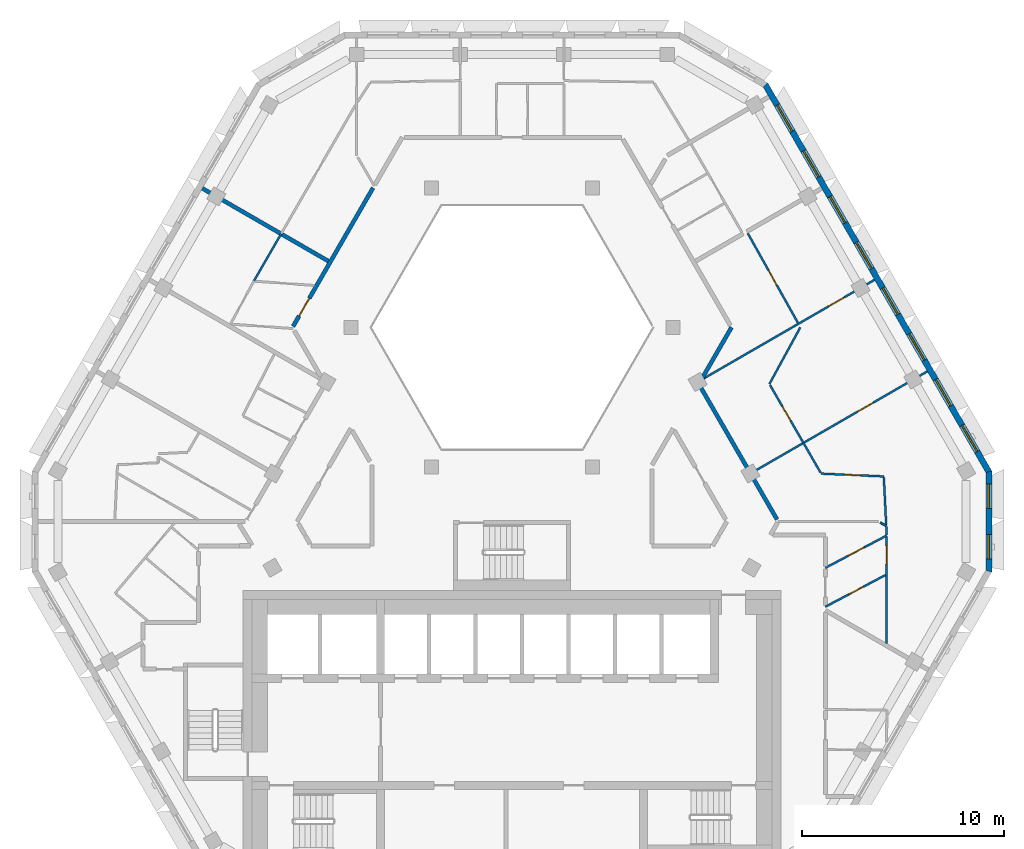
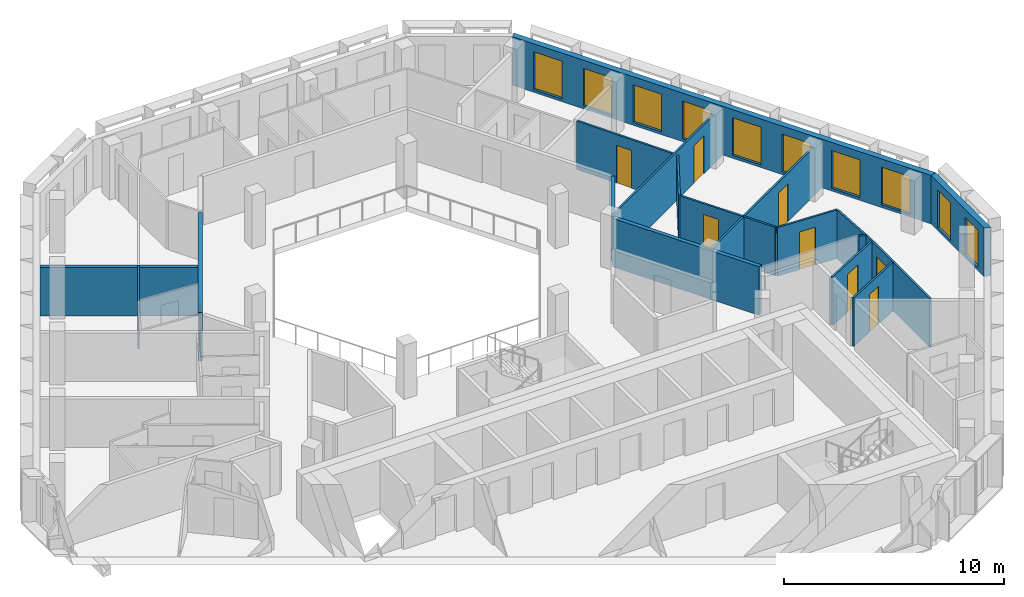
# One storey, part 7 of 16: 20 walls, 10 windows, 9 doors, 19 openings.
"""IFC4 building model written with IfcOpenShell, lengths in metres."""

from ifc_helpers import new_model, si_unit, direction, frame, frame_2d, origin, place, context, subcontext, project, spatial, polyline, rectangle, outline, extrude, material, layer, layer_set, type_object, element, fill, save


model = new_model("IFC4")

# Units and contexts
model_context = context("Model", 3, precision=1e-05, world=origin(), true_north=direction((0.0, 1.0)))
body_context = subcontext(model_context, "Body", "Model", "MODEL_VIEW")
ifc_project = project(units=[si_unit("LENGTHUNIT", "METRE"), si_unit("AREAUNIT", "SQUARE_METRE"), si_unit("VOLUMEUNIT", "CUBIC_METRE"), si_unit("PLANEANGLEUNIT", "RADIAN"), si_unit("MASSUNIT", "GRAM", prefix="KILO")], contexts=[model_context])

# Site, building, storey
site_placement = place(None, origin())
site = spatial("IfcSite", under=ifc_project, at=site_placement, CompositionType="ELEMENT")
building_placement = place(site_placement, origin())
building = spatial("IfcBuilding", under=site, at=building_placement, Name="Beryl Residences", CompositionType="ELEMENT")
storey_placement = place(building_placement, frame((0.0, 0.0, 208.800048828125)))
storey = spatial("IfcBuildingStorey", under=building, at=storey_placement, Name="L64", CompositionType="ELEMENT", Elevation=208.800048828125)

# Wall, openings, windows
ifc_material_1 = material(Name="Composite metal panel with mineral wool insulation")
ifc_layer_1 = layer(ifc_material_1, 0.300048828125)
ifc_layer_set_1 = layer_set([ifc_layer_1], Name="ES1 pale metal composite panel wall 300 mm")
wall_type_1 = type_object("IfcWallType", Name="ES1 pale metal composite panel wall 300 mm", PredefinedType="SOLIDWALL", material=ifc_layer_set_1)
wall_1_placement = place(storey_placement, frame((23.5791015625, -4.10009765625, 0.0), z_axis=(0.0, 0.0, 1.0), x_axis=(0.0, 1.0, 0.0)))
wall_1 = element("IfcWall", 1, at=wall_1_placement, inside=storey, type_object=wall_type_1, Name="ES1 external wall L64 SE-NE", PredefinedType="SOLIDWALL", context=body_context, shape_type="SweptSolid", body=[
    extrude(outline(polyline([(0.0, -0.14990234375), (5.0, -0.14990234375), (4.919677734375, 0.14990234375), (0.080322265625, 0.14990234375), (0.0, -0.14990234375)])), origin(), (0.0, 0.0, 1.0), 2.699951171875),
])
opening_1_placement = place(wall_1_placement, frame((0.64990234375, 0.0, 0.14990234375)))
opening_1 = element("IfcOpeningElement", 2, at=opening_1_placement, cuts=wall_1, Name="Opening W2", PredefinedType="OPENING", context=body_context, shape_type="SweptSolid", body=[
    extrude(rectangle(XDim=1.199951171875, YDim=2.10009765625, at=frame_2d((0.60009765625, 1.050048828125))), frame((0.0, 0.159912109375, 0.0), z_axis=(0.0, -1.0, 0.0), x_axis=(1.0, 0.0, 0.0)), (0.0, 0.0, 1.0), 0.320068359375),
])
opening_2_placement = place(wall_1_placement, frame((3.14990234375, 0.0, 0.14990234375)))
opening_2 = element("IfcOpeningElement", 3, at=opening_2_placement, cuts=wall_1, Name="Opening W2", PredefinedType="OPENING", context=body_context, shape_type="SweptSolid", body=[
    extrude(rectangle(XDim=1.199951171875, YDim=2.10009765625, at=frame_2d((0.60009765625, 1.050048828125))), frame((0.0, 0.159912109375, 0.0), z_axis=(0.0, -1.0, 0.0), x_axis=(1.0, 0.0, 0.0)), (0.0, 0.0, 1.0), 0.320068359375),
])
ifc_material_2 = material(Name="Aluminium and clear glass", Category="aluminium")
window_type_1 = type_object("IfcWindowType", Name="W2 chamfer window 1200 x 2100 mm", PartitioningType="SINGLE_PANEL", PredefinedType="WINDOW", material=ifc_material_2)
window_1_placement = place(opening_1_placement, origin())
window_1 = element("IfcWindow", 4, at=window_1_placement, inside=storey, type_object=window_type_1, Name="W2 window L64 SE-NE 1", OverallHeight=2.10009765625, OverallWidth=1.199951171875, PartitioningType="SINGLE_PANEL", PredefinedType="WINDOW", context=body_context, shape_type="SweptSolid", body=[
    extrude(rectangle(XDim=1.199951171875, YDim=2.10009765625, at=frame_2d((0.60009765625, 1.050048828125))), frame((0.0, 0.030029296875, 0.0), z_axis=(0.0, -1.0, 0.0), x_axis=(1.0, 0.0, 0.0)), (0.0, 0.0, 1.0), 0.06005859375),
])
fill(opening_1, window_1)
window_2_placement = place(opening_2_placement, origin())
window_2 = element("IfcWindow", 5, at=window_2_placement, inside=storey, type_object=window_type_1, Name="W2 window L64 SE-NE 2", OverallHeight=2.10009765625, OverallWidth=1.199951171875, PartitioningType="SINGLE_PANEL", PredefinedType="WINDOW", context=body_context, shape_type="SweptSolid", body=[
    extrude(rectangle(XDim=1.199951171875, YDim=2.10009765625, at=frame_2d((0.60009765625, 1.050048828125))), frame((0.0, 0.030029296875, 0.0), z_axis=(0.0, -1.0, 0.0), x_axis=(1.0, 0.0, 0.0)), (0.0, 0.0, 1.0), 0.06005859375),
])
fill(opening_2, window_2)

wall_2_placement = place(storey_placement, frame((23.59912109375, 0.824951171875, 0.0), z_axis=(0.0, 0.0, 1.0), x_axis=(-0.500003656944, 0.866023292436, 0.0)))
wall_2 = element("IfcWall", 6, at=wall_2_placement, inside=storey, type_object=wall_type_1, Name="ES1 external wall L64 NE", PredefinedType="SOLIDWALL", context=body_context, shape_type="SweptSolid", body=[
    extrude(outline(polyline([(0.0, -0.14990234375), (22.170166015625, -0.14990234375), (22.08984375, 0.14990234375), (0.080322265625, 0.14990234375), (0.0, -0.14990234375)])), origin(), (0.0, 0.0, 1.0), 2.699951171875),
])
opening_3_placement = place(wall_2_placement, frame((1.19091796875, 0.0, 0.14990234375)))
opening_3 = element("IfcOpeningElement", 7, at=opening_3_placement, cuts=wall_2, Name="Opening W1", PredefinedType="OPENING", context=body_context, shape_type="SweptSolid", body=[
    extrude(rectangle(XDim=1.5, YDim=2.10009765625, at=frame_2d((0.75, 1.050048828125))), frame((0.0, 0.159912109375, 0.0), z_axis=(0.0, -1.0, 0.0), x_axis=(1.0, 0.0, 0.0)), (0.0, 0.0, 1.0), 0.320068359375),
])
opening_4_placement = place(wall_2_placement, frame((3.803955078125, 0.0, 0.14990234375)))
opening_4 = element("IfcOpeningElement", 8, at=opening_4_placement, cuts=wall_2, Name="Opening W1", PredefinedType="OPENING", context=body_context, shape_type="SweptSolid", body=[
    extrude(rectangle(XDim=1.5, YDim=2.10009765625, at=frame_2d((0.75, 1.050048828125))), frame((0.0, 0.159912109375, 0.0), z_axis=(0.0, -1.0, 0.0), x_axis=(1.0, 0.0, 0.0)), (0.0, 0.0, 1.0), 0.320068359375),
])
opening_5_placement = place(wall_2_placement, frame((6.4169921875, 0.0, 0.14990234375)))
opening_5 = element("IfcOpeningElement", 9, at=opening_5_placement, cuts=wall_2, Name="Opening W1", PredefinedType="OPENING", context=body_context, shape_type="SweptSolid", body=[
    extrude(rectangle(XDim=1.5, YDim=2.10009765625, at=frame_2d((0.75, 1.050048828125))), frame((0.0, 0.159912109375, 0.0), z_axis=(0.0, -1.0, 0.0), x_axis=(1.0, 0.0, 0.0)), (0.0, 0.0, 1.0), 0.320068359375),
])
opening_6_placement = place(wall_2_placement, frame((9.029052734375, 0.0, 0.14990234375)))
opening_6 = element("IfcOpeningElement", 10, at=opening_6_placement, cuts=wall_2, Name="Opening W1", PredefinedType="OPENING", context=body_context, shape_type="SweptSolid", body=[
    extrude(rectangle(XDim=1.5, YDim=2.10009765625, at=frame_2d((0.75, 1.050048828125))), frame((0.0, 0.159912109375, 0.0), z_axis=(0.0, -1.0, 0.0), x_axis=(1.0, 0.0, 0.0)), (0.0, 0.0, 1.0), 0.320068359375),
])
opening_7_placement = place(wall_2_placement, frame((11.64111328125, 0.0, 0.14990234375)))
opening_7 = element("IfcOpeningElement", 11, at=opening_7_placement, cuts=wall_2, Name="Opening W1", PredefinedType="OPENING", context=body_context, shape_type="SweptSolid", body=[
    extrude(rectangle(XDim=1.5, YDim=2.10009765625, at=frame_2d((0.75, 1.050048828125))), frame((0.0, 0.159912109375, 0.0), z_axis=(0.0, -1.0, 0.0), x_axis=(1.0, 0.0, 0.0)), (0.0, 0.0, 1.0), 0.320068359375),
])
opening_8_placement = place(wall_2_placement, frame((14.25390625, 0.0, 0.14990234375)))
opening_8 = element("IfcOpeningElement", 12, at=opening_8_placement, cuts=wall_2, Name="Opening W1", PredefinedType="OPENING", context=body_context, shape_type="SweptSolid", body=[
    extrude(rectangle(XDim=1.5, YDim=2.10009765625, at=frame_2d((0.75, 1.050048828125))), frame((0.0, 0.159912109375, 0.0), z_axis=(0.0, -1.0, 0.0), x_axis=(1.0, 0.0, 0.0)), (0.0, 0.0, 1.0), 0.320068359375),
])
opening_9_placement = place(wall_2_placement, frame((16.865966796875, 0.0, 0.14990234375)))
opening_9 = element("IfcOpeningElement", 13, at=opening_9_placement, cuts=wall_2, Name="Opening W1", PredefinedType="OPENING", context=body_context, shape_type="SweptSolid", body=[
    extrude(rectangle(XDim=1.5, YDim=2.10009765625, at=frame_2d((0.75, 1.050048828125))), frame((0.0, 0.159912109375, 0.0), z_axis=(0.0, -1.0, 0.0), x_axis=(1.0, 0.0, 0.0)), (0.0, 0.0, 1.0), 0.320068359375),
])
opening_10_placement = place(wall_2_placement, frame((19.47900390625, 0.0, 0.14990234375)))
opening_10 = element("IfcOpeningElement", 14, at=opening_10_placement, cuts=wall_2, Name="Opening W1", PredefinedType="OPENING", context=body_context, shape_type="SweptSolid", body=[
    extrude(rectangle(XDim=1.5, YDim=2.10009765625, at=frame_2d((0.75, 1.050048828125))), frame((0.0, 0.159912109375, 0.0), z_axis=(0.0, -1.0, 0.0), x_axis=(1.0, 0.0, 0.0)), (0.0, 0.0, 1.0), 0.320068359375),
])
ifc_material_3 = material(Name="Aluminium and clear glass", Category="aluminium")
window_type_2 = type_object("IfcWindowType", Name="W1 cell window 1500 x 2100 mm", PartitioningType="SINGLE_PANEL", PredefinedType="WINDOW", material=ifc_material_3)
window_3_placement = place(opening_3_placement, origin())
window_3 = element("IfcWindow", 15, at=window_3_placement, inside=storey, type_object=window_type_2, Name="W1 window L64 NE 1", OverallHeight=2.10009765625, OverallWidth=1.5, PartitioningType="SINGLE_PANEL", PredefinedType="WINDOW", context=body_context, shape_type="SweptSolid", body=[
    extrude(rectangle(XDim=1.5, YDim=2.10009765625, at=frame_2d((0.75, 1.050048828125))), frame((0.0, 0.030029296875, 0.0), z_axis=(0.0, -1.0, 0.0), x_axis=(1.0, 0.0, 0.0)), (0.0, 0.0, 1.0), 0.06005859375),
])
fill(opening_3, window_3)
window_4_placement = place(opening_4_placement, origin())
window_4 = element("IfcWindow", 16, at=window_4_placement, inside=storey, type_object=window_type_2, Name="W1 window L64 NE 2", OverallHeight=2.10009765625, OverallWidth=1.5, PartitioningType="SINGLE_PANEL", PredefinedType="WINDOW", context=body_context, shape_type="SweptSolid", body=[
    extrude(rectangle(XDim=1.5, YDim=2.10009765625, at=frame_2d((0.75, 1.050048828125))), frame((0.0, 0.030029296875, 0.0), z_axis=(0.0, -1.0, 0.0), x_axis=(1.0, 0.0, 0.0)), (0.0, 0.0, 1.0), 0.06005859375),
])
fill(opening_4, window_4)
window_5_placement = place(opening_5_placement, origin())
window_5 = element("IfcWindow", 17, at=window_5_placement, inside=storey, type_object=window_type_2, Name="W1 window L64 NE 3", OverallHeight=2.10009765625, OverallWidth=1.5, PartitioningType="SINGLE_PANEL", PredefinedType="WINDOW", context=body_context, shape_type="SweptSolid", body=[
    extrude(rectangle(XDim=1.5, YDim=2.10009765625, at=frame_2d((0.75, 1.050048828125))), frame((0.0, 0.030029296875, 0.0), z_axis=(0.0, -1.0, 0.0), x_axis=(1.0, 0.0, 0.0)), (0.0, 0.0, 1.0), 0.06005859375),
])
fill(opening_5, window_5)
window_6_placement = place(opening_6_placement, origin())
window_6 = element("IfcWindow", 18, at=window_6_placement, inside=storey, type_object=window_type_2, Name="W1 window L64 NE 4", OverallHeight=2.10009765625, OverallWidth=1.5, PartitioningType="SINGLE_PANEL", PredefinedType="WINDOW", context=body_context, shape_type="SweptSolid", body=[
    extrude(rectangle(XDim=1.5, YDim=2.10009765625, at=frame_2d((0.75, 1.050048828125))), frame((0.0, 0.030029296875, 0.0), z_axis=(0.0, -1.0, 0.0), x_axis=(1.0, 0.0, 0.0)), (0.0, 0.0, 1.0), 0.06005859375),
])
fill(opening_6, window_6)
window_7_placement = place(opening_7_placement, origin())
window_7 = element("IfcWindow", 19, at=window_7_placement, inside=storey, type_object=window_type_2, Name="W1 window L64 NE 5", OverallHeight=2.10009765625, OverallWidth=1.5, PartitioningType="SINGLE_PANEL", PredefinedType="WINDOW", context=body_context, shape_type="SweptSolid", body=[
    extrude(rectangle(XDim=1.5, YDim=2.10009765625, at=frame_2d((0.75, 1.050048828125))), frame((0.0, 0.030029296875, 0.0), z_axis=(0.0, -1.0, 0.0), x_axis=(1.0, 0.0, 0.0)), (0.0, 0.0, 1.0), 0.06005859375),
])
fill(opening_7, window_7)
window_8_placement = place(opening_8_placement, origin())
window_8 = element("IfcWindow", 20, at=window_8_placement, inside=storey, type_object=window_type_2, Name="W1 window L64 NE 6", OverallHeight=2.10009765625, OverallWidth=1.5, PartitioningType="SINGLE_PANEL", PredefinedType="WINDOW", context=body_context, shape_type="SweptSolid", body=[
    extrude(rectangle(XDim=1.5, YDim=2.10009765625, at=frame_2d((0.75, 1.050048828125))), frame((0.0, 0.030029296875, 0.0), z_axis=(0.0, -1.0, 0.0), x_axis=(1.0, 0.0, 0.0)), (0.0, 0.0, 1.0), 0.06005859375),
])
fill(opening_8, window_8)
window_9_placement = place(opening_9_placement, origin())
window_9 = element("IfcWindow", 21, at=window_9_placement, inside=storey, type_object=window_type_2, Name="W1 window L64 NE 7", OverallHeight=2.10009765625, OverallWidth=1.5, PartitioningType="SINGLE_PANEL", PredefinedType="WINDOW", context=body_context, shape_type="SweptSolid", body=[
    extrude(rectangle(XDim=1.5, YDim=2.10009765625, at=frame_2d((0.75, 1.050048828125))), frame((0.0, 0.030029296875, 0.0), z_axis=(0.0, -1.0, 0.0), x_axis=(1.0, 0.0, 0.0)), (0.0, 0.0, 1.0), 0.06005859375),
])
fill(opening_9, window_9)
window_10_placement = place(opening_10_placement, origin())
window_10 = element("IfcWindow", 22, at=window_10_placement, inside=storey, type_object=window_type_2, Name="W1 window L64 NE 8", OverallHeight=2.10009765625, OverallWidth=1.5, PartitioningType="SINGLE_PANEL", PredefinedType="WINDOW", context=body_context, shape_type="SweptSolid", body=[
    extrude(rectangle(XDim=1.5, YDim=2.10009765625, at=frame_2d((0.75, 1.050048828125))), frame((0.0, 0.030029296875, 0.0), z_axis=(0.0, -1.0, 0.0), x_axis=(1.0, 0.0, 0.0)), (0.0, 0.0, 1.0), 0.06005859375),
])
fill(opening_10, window_10)

# Wall, opening, door
ifc_material_4 = material(Name="Gypsum board partition on steel studs", Category="steel")
ifc_layer_2 = layer(ifc_material_4, 0.10009765625)
ifc_layer_set_2 = layer_set([ifc_layer_2], Name="PT1 partition 100 mm gypsum board on steel studs")
wall_type_2 = type_object("IfcWallType", Name="PT1 partition 100 mm gypsum board on steel studs", PredefinedType="PARTITIONING", material=ifc_layer_set_2)
wall_3_placement = place(storey_placement, frame((12.759033203125, 5.14990234375, 0.0), z_axis=(0.0, 0.0, 1.0), x_axis=(0.499905801698, -0.866079782369, 0.0)))
wall_3 = element("IfcWall", 23, at=wall_3_placement, inside=storey, type_object=wall_type_2, Name="Wall PT1 L64 004", PredefinedType="PARTITIONING", context=body_context, shape_type="SweptSolid", body=[
    extrude(rectangle(XDim=3.304443359375, YDim=0.10009765625, at=frame_2d((1.65234375, 0.0))), origin(), (0.0, 0.0, 1.0), 2.699951171875),
])
opening_11_placement = place(wall_3_placement, frame((1.222900390625, 0.0, 0.0)))
opening_11 = element("IfcOpeningElement", 24, at=opening_11_placement, cuts=wall_3, Name="Opening D1836", PredefinedType="OPENING", context=body_context, shape_type="SweptSolid", body=[
    extrude(rectangle(XDim=0.800048828125, YDim=2.10009765625, at=frame_2d((0.39990234375, 1.050048828125))), frame((0.0, 0.06005859375, 0.0), z_axis=(0.0, -1.0, 0.0), x_axis=(1.0, 0.0, 0.0)), (0.0, 0.0, 1.0), 0.1201171875),
])
ifc_material_5 = material(Name="Timber door leaf", Category="wood")
door_type_1 = type_object("IfcDoorType", Name="D3 bathroom door 800 x 2100 mm", OperationType="SINGLE_SWING_LEFT", PredefinedType="DOOR", material=ifc_material_5)
door_1_placement = place(opening_11_placement, origin())
door_1 = element("IfcDoor", 25, at=door_1_placement, inside=storey, type_object=door_type_1, Name="Door D1836 L64 001", OperationType="SINGLE_SWING_RIGHT", OverallHeight=2.10009765625, OverallWidth=0.800048828125, PredefinedType="DOOR", context=body_context, shape_type="SweptSolid", body=[
    extrude(rectangle(XDim=0.800048828125, YDim=2.10009765625, at=frame_2d((0.39990234375, 1.050048828125))), frame((0.0, 0.02490234375, 0.0), z_axis=(0.0, -1.0, 0.0), x_axis=(1.0, 0.0, 0.0)), (0.0, 0.0, 1.0), 0.050048828125),
])
fill(opening_11, door_1)

wall_4_placement = place(storey_placement, frame((11.659912109375, 12.64990234375, 0.0), z_axis=(0.0, 0.0, 1.0), x_axis=(0.488650242737, -0.872479764965, 0.0)))
wall_4 = element("IfcWall", 26, at=wall_4_placement, inside=storey, type_object=wall_type_2, Name="Wall PT1 L64 007", PredefinedType="PARTITIONING", context=body_context, shape_type="SweptSolid", body=[
    extrude(rectangle(XDim=5.0751953125, YDim=0.10009765625, at=frame_2d((2.53759765625, 0.0))), origin(), (0.0, 0.0, 1.0), 2.699951171875),
])
opening_12_placement = place(wall_4_placement, frame((2.113037109375, 0.0, 0.0)))
opening_12 = element("IfcOpeningElement", 27, at=opening_12_placement, cuts=wall_4, Name="Opening D1837", PredefinedType="OPENING", context=body_context, shape_type="SweptSolid", body=[
    extrude(rectangle(XDim=0.800048828125, YDim=2.10009765625, at=frame_2d((0.39990234375, 1.050048828125))), frame((0.0, 0.06005859375, 0.0), z_axis=(0.0, -1.0, 0.0), x_axis=(1.0, 0.0, 0.0)), (0.0, 0.0, 1.0), 0.1201171875),
])
door_2_placement = place(opening_12_placement, origin())
door_2 = element("IfcDoor", 28, at=door_2_placement, inside=storey, type_object=door_type_1, Name="Door D1837 L64 001", OperationType="SINGLE_SWING_LEFT", OverallHeight=2.10009765625, OverallWidth=0.800048828125, PredefinedType="DOOR", context=body_context, shape_type="SweptSolid", body=[
    extrude(rectangle(XDim=0.800048828125, YDim=2.10009765625, at=frame_2d((0.39990234375, 1.050048828125))), frame((0.0, 0.02490234375, 0.0), z_axis=(0.0, -1.0, 0.0), x_axis=(1.0, 0.0, 0.0)), (0.0, 0.0, 1.0), 0.050048828125),
])
fill(opening_12, door_2)

# Walls
wall_5_placement = place(storey_placement, frame((18.387939453125, 0.5791015625, 0.0), z_axis=(0.0, 0.0, 1.0), x_axis=(0.049097293833, -0.998794000652, 0.0)))
element("IfcWall", 29, at=wall_5_placement, inside=storey, type_object=wall_type_2, Name="Wall PT1 L64 008", PredefinedType="PARTITIONING", context=body_context, shape_type="SweptSolid", body=[
    extrude(rectangle(XDim=2.362060546875, YDim=0.10009765625, at=frame_2d((1.18115234375, 0.0))), origin(), (0.0, 0.0, 1.0), 2.699951171875),
])
wall_6_placement = place(storey_placement, frame((18.507080078125, -1.85400390625, 0.0), z_axis=(0.0, 0.0, 1.0), x_axis=(0.036480787329, -0.999334354536, 0.0)))
element("IfcWall", 30, at=wall_6_placement, inside=storey, type_object=wall_type_2, Name="Wall PT1 L64 009", PredefinedType="PARTITIONING", context=body_context, shape_type="SweptSolid", body=[
    extrude(rectangle(XDim=0.408203125, YDim=0.10009765625, at=frame_2d((0.2041015625, 0.0))), origin(), (0.0, 0.0, 1.0), 2.699951171875),
])

# Wall, opening, door
wall_7_placement = place(storey_placement, frame((15.2880859375, 0.76806640625, 0.0), z_axis=(0.0, 0.0, 1.0), x_axis=(0.999006028269, -0.044575278833, 0.0)))
wall_7 = element("IfcWall", 31, at=wall_7_placement, inside=storey, type_object=wall_type_2, Name="Wall PT1 L64 014", PredefinedType="PARTITIONING", context=body_context, shape_type="SweptSolid", body=[
    extrude(rectangle(XDim=3.10009765625, YDim=0.10009765625, at=frame_2d((1.550048828125, 0.0))), origin(), (0.0, 0.0, 1.0), 2.699951171875),
])
opening_13_placement = place(wall_7_placement, frame((1.14990234375, 0.0, 0.0)))
opening_13 = element("IfcOpeningElement", 32, at=opening_13_placement, cuts=wall_7, Name="Opening D1834", PredefinedType="OPENING", context=body_context, shape_type="SweptSolid", body=[
    extrude(rectangle(XDim=0.800048828125, YDim=2.10009765625, at=frame_2d((0.39990234375, 1.050048828125))), frame((0.0, 0.06005859375, 0.0), z_axis=(0.0, -1.0, 0.0), x_axis=(1.0, 0.0, 0.0)), (0.0, 0.0, 1.0), 0.1201171875),
])
door_3_placement = place(opening_13_placement, origin())
door_3 = element("IfcDoor", 33, at=door_3_placement, inside=storey, type_object=door_type_1, Name="Door D1834 L64 001", OperationType="SINGLE_SWING_RIGHT", OverallHeight=2.10009765625, OverallWidth=0.800048828125, PredefinedType="DOOR", context=body_context, shape_type="SweptSolid", body=[
    extrude(rectangle(XDim=0.800048828125, YDim=2.10009765625, at=frame_2d((0.39990234375, 1.050048828125))), frame((0.0, 0.02490234375, 0.0), z_axis=(0.0, -1.0, 0.0), x_axis=(1.0, 0.0, 0.0)), (0.0, 0.0, 1.0), 0.050048828125),
])
fill(opening_13, door_3)

# Walls
wall_8_placement = place(storey_placement, frame((18.2119140625, -1.64892578125, 0.0), z_axis=(0.0, 0.0, 1.0), x_axis=(0.865622947871, -0.500696427109, 0.0)))
element("IfcWall", 34, at=wall_8_placement, inside=storey, type_object=wall_type_2, Name="Wall PT1 L64 019", PredefinedType="PARTITIONING", context=body_context, shape_type="SweptSolid", body=[
    extrude(rectangle(XDim=0.33984375, YDim=0.10009765625, at=frame_2d((0.169921875, 0.0))), origin(), (0.0, 0.0, 1.0), 2.699951171875),
])
wall_9_placement = place(storey_placement, frame((-12.778076171875, 10.26806640625, 0.0), z_axis=(0.0, 0.0, 1.0), x_axis=(0.500084799062, 0.865976439487, 0.0)))
element("IfcWall", 35, at=wall_9_placement, inside=storey, type_object=wall_type_2, Name="Wall PT1 L64 030", PredefinedType="PARTITIONING", context=body_context, shape_type="SweptSolid", body=[
    extrude(rectangle(XDim=2.7216796875, YDim=0.10009765625, at=frame_2d((1.36083984375, 0.0))), origin(), (0.0, 0.0, 1.0), 2.699951171875),
])
wall_10_placement = place(storey_placement, frame((12.72900390625, 5.200927734375, 0.0), z_axis=(0.0, 0.0, 1.0), x_axis=(0.478932598182, 0.877851676764, 0.0)))
element("IfcWall", 36, at=wall_10_placement, inside=storey, type_object=wall_type_2, Name="Wall PT1 L64 031", PredefinedType="PARTITIONING", context=body_context, shape_type="SweptSolid", body=[
    extrude(rectangle(XDim=3.1884765625, YDim=0.10009765625, at=frame_2d((1.59423828125, 0.0))), origin(), (0.0, 0.0, 1.0), 2.699951171875),
])

# Wall, opening, door
wall_11_placement = place(storey_placement, frame((18.52392578125, -7.625, 0.0), z_axis=(0.0, 0.0, 1.0), x_axis=(0.0, 1.0, 0.0)))
wall_11 = element("IfcWall", 37, at=wall_11_placement, inside=storey, type_object=wall_type_2, Name="Wall PT1 L64 038", PredefinedType="PARTITIONING", context=body_context, shape_type="SweptSolid", body=[
    extrude(rectangle(XDim=5.29296875, YDim=0.10009765625, at=frame_2d((2.646484375, 0.0))), origin(), (0.0, 0.0, 1.0), 2.699951171875),
])
opening_14_placement = place(wall_11_placement, frame((3.9169921875, 0.0, 0.0)))
opening_14 = element("IfcOpeningElement", 38, at=opening_14_placement, cuts=wall_11, Name="Opening D1832", PredefinedType="OPENING", context=body_context, shape_type="SweptSolid", body=[
    extrude(rectangle(XDim=0.89990234375, YDim=2.10009765625, at=frame_2d((0.449951171875, 1.050048828125))), frame((0.0, 0.06005859375, 0.0), z_axis=(0.0, -1.0, 0.0), x_axis=(1.0, 0.0, 0.0)), (0.0, 0.0, 1.0), 0.1201171875),
])
ifc_material_6 = material(Name="Timber door leaf", Category="wood")
door_type_2 = type_object("IfcDoorType", Name="D2 room door 900 x 2100 mm", OperationType="SINGLE_SWING_LEFT", PredefinedType="DOOR", material=ifc_material_6)
door_4_placement = place(opening_14_placement, origin())
door_4 = element("IfcDoor", 39, at=door_4_placement, inside=storey, type_object=door_type_2, Name="Door D1832 L64 001", OperationType="SINGLE_SWING_RIGHT", OverallHeight=2.10009765625, OverallWidth=0.89990234375, PredefinedType="DOOR", context=body_context, shape_type="SweptSolid", body=[
    extrude(rectangle(XDim=0.89990234375, YDim=2.10009765625, at=frame_2d((0.449951171875, 1.050048828125))), frame((0.0, 0.02490234375, 0.0), z_axis=(0.0, -1.0, 0.0), x_axis=(1.0, 0.0, 0.0)), (0.0, 0.0, 1.0), 0.050048828125),
])
fill(opening_14, door_4)

wall_12_placement = place(storey_placement, frame((15.5, -3.889892578125, 0.0), z_axis=(0.0, 0.0, 1.0), x_axis=(0.884504274727, 0.466532086775, 0.0)))
wall_12 = element("IfcWall", 40, at=wall_12_placement, inside=storey, type_object=wall_type_2, Name="Wall PT1 L64 043", PredefinedType="PARTITIONING", context=body_context, shape_type="SweptSolid", body=[
    extrude(rectangle(XDim=3.418701171875, YDim=0.10009765625, at=frame_2d((1.70947265625, 0.0))), origin(), (0.0, 0.0, 1.0), 2.699951171875),
])
opening_15_placement = place(wall_12_placement, frame((1.259033203125, 0.0, 0.0)))
opening_15 = element("IfcOpeningElement", 41, at=opening_15_placement, cuts=wall_12, Name="Opening D1831", PredefinedType="OPENING", context=body_context, shape_type="SweptSolid", body=[
    extrude(rectangle(XDim=0.89990234375, YDim=2.10009765625, at=frame_2d((0.449951171875, 1.050048828125))), frame((0.0, 0.06005859375, 0.0), z_axis=(0.0, -1.0, 0.0), x_axis=(1.0, 0.0, 0.0)), (0.0, 0.0, 1.0), 0.1201171875),
])
door_5_placement = place(opening_15_placement, origin())
door_5 = element("IfcDoor", 42, at=door_5_placement, inside=storey, type_object=door_type_2, Name="Door D1831 L64 001", OperationType="SINGLE_SWING_LEFT", OverallHeight=2.10009765625, OverallWidth=0.89990234375, PredefinedType="DOOR", context=body_context, shape_type="SweptSolid", body=[
    extrude(rectangle(XDim=0.89990234375, YDim=2.10009765625, at=frame_2d((0.449951171875, 1.050048828125))), frame((0.0, 0.02490234375, 0.0), z_axis=(0.0, -1.0, 0.0), x_axis=(1.0, 0.0, 0.0)), (0.0, 0.0, 1.0), 0.050048828125),
])
fill(opening_15, door_5)

wall_13_placement = place(storey_placement, frame((15.5, -5.81201171875, 0.0), z_axis=(0.0, 0.0, 1.0), x_axis=(0.884576181409, 0.46639573249, 0.0)))
wall_13 = element("IfcWall", 43, at=wall_13_placement, inside=storey, type_object=wall_type_2, Name="Wall PT1 L64 044", PredefinedType="PARTITIONING", context=body_context, shape_type="SweptSolid", body=[
    extrude(rectangle(XDim=3.3623046875, YDim=0.10009765625, at=frame_2d((1.68115234375, 0.0))), origin(), (0.0, 0.0, 1.0), 2.699951171875),
])
opening_16_placement = place(wall_13_placement, frame((1.30908203125, 0.0, 0.0)))
opening_16 = element("IfcOpeningElement", 44, at=opening_16_placement, cuts=wall_13, Name="Opening D1830", PredefinedType="OPENING", context=body_context, shape_type="SweptSolid", body=[
    extrude(rectangle(XDim=0.800048828125, YDim=2.10009765625, at=frame_2d((0.39990234375, 1.050048828125))), frame((0.0, 0.06005859375, 0.0), z_axis=(0.0, -1.0, 0.0), x_axis=(1.0, 0.0, 0.0)), (0.0, 0.0, 1.0), 0.1201171875),
])
door_6_placement = place(opening_16_placement, origin())
door_6 = element("IfcDoor", 45, at=door_6_placement, inside=storey, type_object=door_type_1, Name="Door D1830 L64 001", OperationType="SINGLE_SWING_RIGHT", OverallHeight=2.10009765625, OverallWidth=0.800048828125, PredefinedType="DOOR", context=body_context, shape_type="SweptSolid", body=[
    extrude(rectangle(XDim=0.800048828125, YDim=2.10009765625, at=frame_2d((0.39990234375, 1.050048828125))), frame((0.0, 0.02490234375, 0.0), z_axis=(0.0, -1.0, 0.0), x_axis=(1.0, 0.0, 0.0)), (0.0, 0.0, 1.0), 0.050048828125),
])
fill(opening_16, door_6)

wall_14_placement = place(storey_placement, frame((11.87890625, 0.825927734375, 0.0), z_axis=(0.0, 0.0, 1.0), x_axis=(0.866065245018, 0.499930986609, 0.0)))
wall_14 = element("IfcWall", 46, at=wall_14_placement, inside=storey, type_object=wall_type_2, Name="Wall PT1 L64 047", PredefinedType="PARTITIONING", context=body_context, shape_type="SweptSolid", body=[
    extrude(rectangle(XDim=9.99951171875, YDim=0.10009765625, at=frame_2d((4.999755859375, 0.0))), origin(), (0.0, 0.0, 1.0), 2.699951171875),
])
opening_17_placement = place(wall_14_placement, frame((6.011962890625, 0.0, 0.0)))
opening_17 = element("IfcOpeningElement", 47, at=opening_17_placement, cuts=wall_14, Name="Opening D1833", PredefinedType="OPENING", context=body_context, shape_type="SweptSolid", body=[
    extrude(rectangle(XDim=0.89990234375, YDim=2.10009765625, at=frame_2d((0.449951171875, 1.050048828125))), frame((0.0, 0.06005859375, 0.0), z_axis=(0.0, -1.0, 0.0), x_axis=(1.0, 0.0, 0.0)), (0.0, 0.0, 1.0), 0.1201171875),
])
door_7_placement = place(opening_17_placement, origin())
door_7 = element("IfcDoor", 48, at=door_7_placement, inside=storey, type_object=door_type_2, Name="Door D1833 L64 001", OperationType="SINGLE_SWING_LEFT", OverallHeight=2.10009765625, OverallWidth=0.89990234375, PredefinedType="DOOR", context=body_context, shape_type="SweptSolid", body=[
    extrude(rectangle(XDim=0.89990234375, YDim=2.10009765625, at=frame_2d((0.449951171875, 1.050048828125))), frame((0.0, 0.02490234375, 0.0), z_axis=(0.0, -1.0, 0.0), x_axis=(1.0, 0.0, 0.0)), (0.0, 0.0, 1.0), 0.050048828125),
])
fill(opening_17, door_7)

wall_15_placement = place(storey_placement, frame((9.35400390625, 5.40087890625, 0.0), z_axis=(0.0, 0.0, 1.0), x_axis=(0.866018411306, 0.500012111133, 0.0)))
wall_15 = element("IfcWall", 49, at=wall_15_placement, inside=storey, type_object=wall_type_2, Name="Wall PT1 L64 048", PredefinedType="PARTITIONING", context=body_context, shape_type="SweptSolid", body=[
    extrude(rectangle(XDim=9.898193359375, YDim=0.10009765625, at=frame_2d((4.94921875, 0.0))), origin(), (0.0, 0.0, 1.0), 2.699951171875),
])
opening_18_placement = place(wall_15_placement, frame((7.277099609375, 0.0, 0.0)))
opening_18 = element("IfcOpeningElement", 50, at=opening_18_placement, cuts=wall_15, Name="Opening D1835", PredefinedType="OPENING", context=body_context, shape_type="SweptSolid", body=[
    extrude(rectangle(XDim=0.89990234375, YDim=2.10009765625, at=frame_2d((0.449951171875, 1.050048828125))), frame((0.0, 0.06005859375, 0.0), z_axis=(0.0, -1.0, 0.0), x_axis=(1.0, 0.0, 0.0)), (0.0, 0.0, 1.0), 0.1201171875),
])
door_8_placement = place(opening_18_placement, origin())
door_8 = element("IfcDoor", 51, at=door_8_placement, inside=storey, type_object=door_type_2, Name="Door D1835 L64 001", OperationType="SINGLE_SWING_LEFT", OverallHeight=2.10009765625, OverallWidth=0.89990234375, PredefinedType="DOOR", context=body_context, shape_type="SweptSolid", body=[
    extrude(rectangle(XDim=0.89990234375, YDim=2.10009765625, at=frame_2d((0.449951171875, 1.050048828125))), frame((0.0, 0.02490234375, 0.0), z_axis=(0.0, -1.0, 0.0), x_axis=(1.0, 0.0, 0.0)), (0.0, 0.0, 1.0), 0.050048828125),
])
fill(opening_18, door_8)

# Walls
wall_16_placement = place(storey_placement, frame((14.410888671875, 2.2880859375, 0.0), z_axis=(0.0, 0.0, 1.0), x_axis=(0.500009005995, -0.866020204108, 0.0)))
element("IfcWall", 52, at=wall_16_placement, inside=storey, type_object=wall_type_2, Name="Wall PT1 L64 051", PredefinedType="PARTITIONING", context=body_context, shape_type="SweptSolid", body=[
    extrude(rectangle(XDim=1.6962890625, YDim=0.10009765625, at=frame_2d((0.84814453125, 0.0))), origin(), (0.0, 0.0, 1.0), 2.699951171875),
])
ifc_material_7 = material(Name="Acoustic double stud gypsum board wall")
ifc_layer_3 = layer(ifc_material_7, 0.199951171875)
ifc_layer_set_3 = layer_set([ifc_layer_3], Name="PT3 party wall 200 mm acoustic double stud")
wall_type_3 = type_object("IfcWallType", Name="PT3 party wall 200 mm acoustic double stud", PredefinedType="PARTITIONING", material=ifc_layer_set_3)
wall_17_placement = place(storey_placement, frame((-15.31396484375, 14.875, 0.0), z_axis=(0.0, 0.0, 1.0), x_axis=(0.866001485781, -0.500041424909, 0.0)))
element("IfcWall", 53, at=wall_17_placement, inside=storey, type_object=wall_type_3, Name="Wall PT3 L64 004", PredefinedType="PARTITIONING", context=body_context, shape_type="SweptSolid", body=[
    extrude(rectangle(XDim=7.19970703125, YDim=0.199951171875, at=frame_2d((3.599853515625, 0.0))), origin(), (0.0, 0.0, 1.0), 2.699951171875),
])
ifc_material_8 = material(Name="Double stud gypsum board wall")
ifc_layer_4 = layer(ifc_material_8, 0.199951171875)
ifc_layer_set_4 = layer_set([ifc_layer_4], Name="PT4 corridor wall 200 mm double stud")
wall_type_4 = type_object("IfcWallType", Name="PT4 corridor wall 200 mm double stud", PredefinedType="PARTITIONING", material=ifc_layer_set_4)
wall_18_placement = place(storey_placement, frame((9.238037109375, 5.199951171875, 0.0), z_axis=(0.0, 0.0, 1.0), x_axis=(0.500025705601, -0.86601056214, 0.0)))
element("IfcWall", 54, at=wall_18_placement, inside=storey, type_object=wall_type_4, Name="Wall PT4 L64 006", PredefinedType="PARTITIONING", context=body_context, shape_type="SweptSolid", body=[
    extrude(rectangle(XDim=7.7353515625, YDim=0.199951171875, at=frame_2d((3.86767578125, 0.0))), origin(), (0.0, 0.0, 1.0), 2.699951171875),
])
wall_19_placement = place(storey_placement, frame((9.404052734375, 5.487060546875, 0.0), z_axis=(0.0, 0.0, 1.0), x_axis=(0.499768590677, 0.866158966803, 0.0)))
element("IfcWall", 55, at=wall_19_placement, inside=storey, type_object=wall_type_4, Name="Wall PT4 L64 021", PredefinedType="PARTITIONING", context=body_context, shape_type="SweptSolid", body=[
    extrude(rectangle(XDim=2.901123046875, YDim=0.199951171875, at=frame_2d((1.45068359375, 0.0))), origin(), (0.0, 0.0, 1.0), 2.699951171875),
])

# Wall, opening, door
wall_20_placement = place(storey_placement, frame((-10.825927734375, 8.048095703125, 0.0), z_axis=(0.0, 0.0, 1.0), x_axis=(0.499953104851, 0.866052477019, 0.0)))
wall_20 = element("IfcWall", 56, at=wall_20_placement, inside=storey, type_object=wall_type_4, Name="Wall PT4 L64 027", PredefinedType="PARTITIONING", context=body_context, shape_type="SweptSolid", body=[
    extrude(rectangle(XDim=7.910400390625, YDim=0.199951171875, at=frame_2d((3.955078125, 0.0))), origin(), (0.0, 0.0, 1.0), 2.699951171875),
])
opening_19_placement = place(wall_20_placement, frame((0.60302734375, 0.0, 0.0)))
opening_19 = element("IfcOpeningElement", 57, at=opening_19_placement, cuts=wall_20, Name="Opening D1810", PredefinedType="OPENING", context=body_context, shape_type="SweptSolid", body=[
    extrude(rectangle(XDim=1.0, YDim=2.10009765625, at=frame_2d((0.5, 1.050048828125))), frame((0.0, 0.10986328125, 0.0), z_axis=(0.0, -1.0, 0.0), x_axis=(1.0, 0.0, 0.0)), (0.0, 0.0, 1.0), 0.219970703125),
])
ifc_material_9 = material(Name="Timber door leaf", Category="wood")
door_type_3 = type_object("IfcDoorType", Name="D1 flat entrance door 1000 x 2100 mm", OperationType="SINGLE_SWING_LEFT", PredefinedType="DOOR", material=ifc_material_9)
door_9_placement = place(opening_19_placement, origin())
door_9 = element("IfcDoor", 58, at=door_9_placement, inside=storey, type_object=door_type_3, Name="Door D1810 L64 001", OperationType="SINGLE_SWING_RIGHT", OverallHeight=2.10009765625, OverallWidth=1.0, PredefinedType="DOOR", context=body_context, shape_type="SweptSolid", body=[
    extrude(rectangle(XDim=1.0, YDim=2.10009765625, at=frame_2d((0.5, 1.050048828125))), frame((0.0, 0.02490234375, 0.0), z_axis=(0.0, -1.0, 0.0), x_axis=(1.0, 0.0, 0.0)), (0.0, 0.0, 1.0), 0.050048828125),
])
fill(opening_19, door_9)

save(model, "model.ifc")
